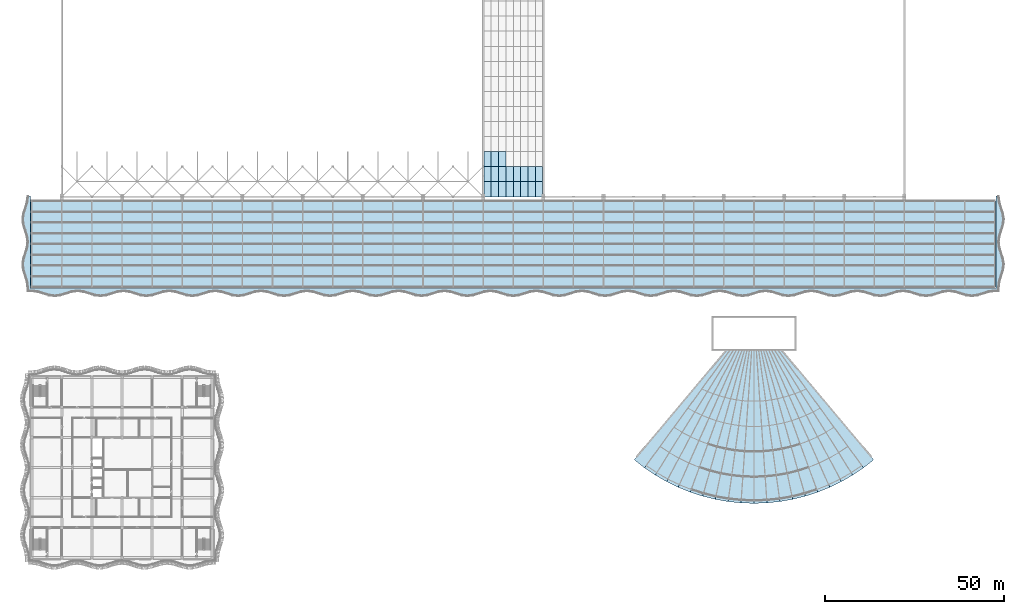
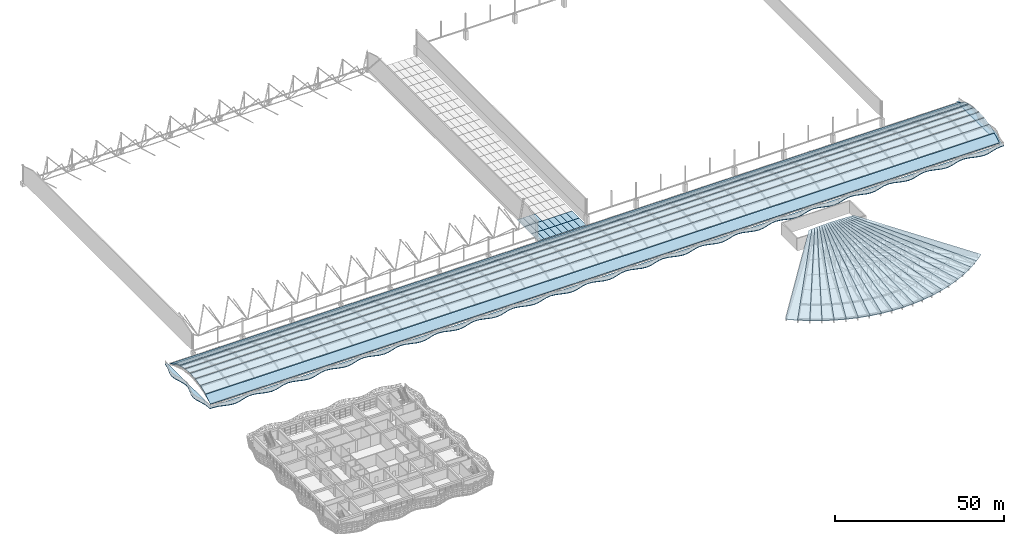
# One storey, part 100 of 163: 48 slabs.
"""IFC4 building model written with IfcOpenShell, lengths in metres."""

import ifcopenshell
import ifcopenshell.guid

model = None  # the IFC model being written
_history = None  # IfcOwnerHistory: only IFC2X3 demands one
_inside = {}  # id of a spatial element -> (the spatial element, [elements in it])
_under = {}  # id of a project, library or spatial element -> (it, [spatial elements below it])
_declared = {}  # id of a project -> (the project, [libraries it declares])
_typed = {}  # id of a type object -> (the type object, [elements of that type])
_made_of = {}  # id of a material, layer set ... -> (it, [elements and type objects made of it])


def new_model(schema):
    """Start an empty IFC model of exactly this schema.

    Asked for "IFC4X3", IfcOpenShell would pick the latest addendum, in which some entities
    have other attributes; the version numbers below select the first issue.
    IFC2X3 requires an IfcOwnerHistory on every rooted entity: one is made here for all.
    """
    global model, _history
    if schema == "IFC4X3":
        model = ifcopenshell.file(schema_version=(4, 3, 0, 0))
    else:
        model = ifcopenshell.file(schema=schema)
    _inside.clear()
    _under.clear()
    _declared.clear()
    _typed.clear()
    _made_of.clear()
    _history = None
    if model.schema == "IFC2X3":
        org = make("IfcOrganization", Name="unknown")
        user = make(
            "IfcPersonAndOrganization",
            ThePerson=make("IfcPerson", FamilyName="unknown"),
            TheOrganization=org,
        )
        app = make(
            "IfcApplication",
            ApplicationDeveloper=org,
            Version="unknown",
            ApplicationFullName="unknown",
            ApplicationIdentifier="unknown",
        )
        _history = make(
            "IfcOwnerHistory",
            OwningUser=user,
            OwningApplication=app,
            ChangeAction="ADDED",
            CreationDate=0,
        )
    return model


def make(cls, **values):
    """One entity of the class cls with the attributes given. An attribute that is None is left unset."""
    return model.create_entity(
        cls, **{name: value for name, value in values.items() if value is not None}
    )


def rooted(cls, **values):
    """An entity with a GlobalId (a new one), such as an element, a storey or a relation."""
    return make(cls, GlobalId=ifcopenshell.guid.new(), OwnerHistory=_history, **values)


def si_unit(unit_type, name, prefix=None):
    """IfcSIUnit, for example si_unit("LENGTHUNIT", "METRE", prefix="MILLI")."""
    return make("IfcSIUnit", UnitType=unit_type, Prefix=prefix, Name=name)


def assignment(units):
    """IfcUnitAssignment: the units of a project."""
    return None if units is None else make("IfcUnitAssignment", Units=units)


def point(xyz):
    """IfcCartesianPoint."""
    return None if xyz is None else make("IfcCartesianPoint", Coordinates=xyz)


def direction(xyz):
    """IfcDirection."""
    return None if xyz is None else make("IfcDirection", DirectionRatios=xyz)


def frame(location, z_axis=None, x_axis=None):
    """IfcAxis2Placement3D, a coordinate frame: its origin and axes. An axis left out is left unset."""
    return make(
        "IfcAxis2Placement3D",
        Location=point(location),
        Axis=direction(z_axis),
        RefDirection=direction(x_axis),
    )


def origin():
    """The frame at (0, 0, 0) with its axes left unset."""
    return frame((0.0, 0.0, 0.0))


def place(relative_to, where):
    """IfcLocalPlacement: puts the frame where relative to a parent placement (None: the world)."""
    return make(
        "IfcLocalPlacement", PlacementRelTo=relative_to, RelativePlacement=where
    )


def context(
    kind, dimensions, precision=None, world=None, true_north=None, identifier=None
):
    """IfcGeometricRepresentationContext, for example the 3D "Model" context."""
    return make(
        "IfcGeometricRepresentationContext",
        ContextIdentifier=identifier,
        ContextType=kind,
        CoordinateSpaceDimension=dimensions,
        Precision=precision,
        WorldCoordinateSystem=world,
        TrueNorth=true_north,
    )


def subcontext(parent, identifier, kind, view, scale=None):
    """IfcGeometricRepresentationSubContext, for example "Body" below "Model"."""
    return make(
        "IfcGeometricRepresentationSubContext",
        ContextIdentifier=identifier,
        ContextType=kind,
        ParentContext=parent,
        TargetScale=scale,
        TargetView=view,
    )


def project(units=None, contexts=None):
    """IfcProject with its units and contexts."""
    return rooted(
        "IfcProject",
        Name="project",
        RepresentationContexts=contexts,
        UnitsInContext=assignment(units),
    )


def spatial(cls, under=None, at=None, **own):
    """A site, building, storey or space (cls), placed at a placement, below another one or the project."""
    s = rooted(cls, ObjectPlacement=at, **own)
    if under is not None:
        _under.setdefault(under.id(), (under, []))[1].append(s)
    return s


def polyline(points):
    """IfcPolyline through the points."""
    return make("IfcPolyline", Points=[point(p) for p in points])


def outline(outer, holes=None, kind="AREA"):
    """IfcArbitraryClosedProfileDef: a profile drawn as a closed curve; with holes, ...WithVoids."""
    if holes is None:
        return make("IfcArbitraryClosedProfileDef", ProfileType=kind, OuterCurve=outer)
    return make(
        "IfcArbitraryProfileDefWithVoids",
        ProfileType=kind,
        OuterCurve=outer,
        InnerCurves=holes,
    )


def extrude(swept, where, along, depth):
    """IfcExtrudedAreaSolid: the profile swept, set in the frame where, extruded along a direction by depth."""
    return make(
        "IfcExtrudedAreaSolid",
        SweptArea=swept,
        Position=where,
        ExtrudedDirection=direction(along),
        Depth=depth,
    )


def shape(context_of_items, identifier, shape_type, items):
    """IfcShapeRepresentation: the items that make up one representation, for example the "Body"."""
    return make(
        "IfcShapeRepresentation",
        ContextOfItems=context_of_items,
        RepresentationIdentifier=identifier,
        RepresentationType=shape_type,
        Items=items,
    )


def material(Name=None, Category=None):
    """IfcMaterial."""
    return make("IfcMaterial", Name=Name, Category=Category)


def layer(
    of_material, thickness, ventilated=None, Name=None, Category=None, Priority=None
):
    """IfcMaterialLayer: one layer of a wall or slab, of a material (None: an air gap)."""
    return make(
        "IfcMaterialLayer",
        Material=of_material,
        LayerThickness=thickness,
        IsVentilated=ventilated,
        Name=Name,
        Category=Category,
        Priority=Priority,
    )


def layer_set(layers, Name=None):
    """IfcMaterialLayerSet."""
    return make("IfcMaterialLayerSet", MaterialLayers=layers, LayerSetName=Name)


def made_of(thing, what):
    """Note that an element or type object is made of a material, layer set ...; save() writes the relation."""
    if what is not None:
        _made_of.setdefault(what.id(), (what, []))[1].append(thing)
    return thing


def type_object(cls, material=None, **own):
    """A type object (cls), such as IfcWallType, which elements share."""
    return made_of(rooted(cls, **own), material)


def element(
    cls,
    number,
    at=None,
    inside=None,
    cuts=None,
    type_object=None,
    material=None,
    context=None,
    identifier="Body",
    shape_type=None,
    held_by="IfcProductDefinitionShape",
    body=None,
    shapes=None,
    **own,
):
    """One element of the class cls, such as IfcWall. Its Tag is "e" and its number.

    at: its placement. inside: the storey or other place that contains it. cuts: it is an
    opening in that element (IfcRelVoidsElement). A single representation is given by context,
    identifier, shape_type and body (its items); several are given by shapes. held_by: the class
    of the entity that holds the representations. save() writes the other relations.
    """
    e = rooted(cls, Tag="e%d" % number, ObjectPlacement=at, **own)
    if body is not None:
        shapes = [shape(context, identifier, shape_type, body)]
    if shapes is not None:
        e.Representation = make(held_by, Representations=shapes)
    if inside is not None:
        _inside.setdefault(inside.id(), (inside, []))[1].append(e)
    if cuts is not None:
        rooted(
            "IfcRelVoidsElement", RelatingBuildingElement=cuts, RelatedOpeningElement=e
        )
    if type_object is not None:
        _typed.setdefault(type_object.id(), (type_object, []))[1].append(e)
    return made_of(e, material)


def aggregate(whole, parts):
    """IfcRelAggregates: a whole, such as a stair, and the parts it consists of."""
    return rooted("IfcRelAggregates", RelatingObject=whole, RelatedObjects=parts)


def save(model, path):
    """Write the relations noted so far, then the file.

    IfcRelAggregates (storeys below a building ...), IfcRelContainedInSpatialStructure (elements
    in a storey), IfcRelDefinesByType, IfcRelAssociatesMaterial and IfcRelDeclares: one each for
    every whole, place, type object, material and project.
    """
    for whole, parts in _under.values():
        aggregate(whole, parts)
    for where, things in _inside.values():
        rooted(
            "IfcRelContainedInSpatialStructure",
            RelatedElements=things,
            RelatingStructure=where,
        )
    for kind, things in _typed.values():
        rooted("IfcRelDefinesByType", RelatedObjects=things, RelatingType=kind)
    for what, things in _made_of.values():
        rooted("IfcRelAssociatesMaterial", RelatedObjects=things, RelatingMaterial=what)
    for by, libraries in _declared.values():
        rooted("IfcRelDeclares", RelatingContext=by, RelatedDefinitions=libraries)
    model.write(path)


model = new_model("IFC4")

# Units and contexts
model_context = context("Model", 3, precision=1e-05, world=origin(), true_north=direction((0.0, 1.0)))
body_context = subcontext(model_context, "Body", "Model", "MODEL_VIEW")
ifc_project = project(units=[si_unit("LENGTHUNIT", "METRE"), si_unit("AREAUNIT", "SQUARE_METRE"), si_unit("VOLUMEUNIT", "CUBIC_METRE"), si_unit("PLANEANGLEUNIT", "RADIAN"), si_unit("MASSUNIT", "GRAM", prefix="KILO")], contexts=[model_context])

# Site, building, storey
site_placement = place(None, origin())
site = spatial("IfcSite", under=ifc_project, at=site_placement, CompositionType="ELEMENT")
building_placement = place(site_placement, origin())
building = spatial("IfcBuilding", under=site, at=building_placement, Name="Rain Tree Exposition and Congress Centre", CompositionType="ELEMENT")
storey_placement = place(building_placement, frame((0.0, 0.0, 10.5)))
storey = spatial("IfcBuildingStorey", under=building, at=storey_placement, Name="L02", CompositionType="ELEMENT", Elevation=10.5)

# Slabs
ifc_material_1 = material(Name="Planted roof build-up")
ifc_layer_1 = layer(ifc_material_1, 0.39990234375)
ifc_layer_set_1 = layer_set([ifc_layer_1], Name="Planted roof build-up")
slab_type_1 = type_object("IfcSlabType", Name="Concourse planted roof strip 400", PredefinedType="ROOF", material=ifc_layer_set_1)
for number, where, z_axis, x_axis, name in (
    (1, (-0.300048828125, 78.449462890625, 2.50244140625), (0.0, -0.376377046956, 0.926466577122), (1.0, 0.0, 0.0), "Concourse planted roof strip 1"),
    (2, (-0.300048828125, 93.75048828125, 3.72119140625), (0.0, 0.376377046956, 0.926466577122), (1.0, 0.0, 0.0), "Concourse planted roof strip 2"),
):
    element("IfcSlab", number, at=place(storey_placement, frame(where, z_axis=z_axis, x_axis=x_axis)), inside=storey, type_object=slab_type_1, Name=name, PredefinedType="ROOF", context=body_context, shape_type="SweptSolid", body=[
        extrude(outline(polyline([(0.0, 0.0), (269.400146484375, 0.0), (269.400146484375, 3.238109257344477), (0.0, 3.238109257344477), (0.0, 0.0)])), origin(), (0.0, 0.0, -1.0), 0.39990234375),
    ])
ifc_material_2 = material(Name="Glazing in S355J2 steel frame", Category="steel")
ifc_layer_2 = layer(ifc_material_2, 0.06005859375)
ifc_layer_set_2 = layer_set([ifc_layer_2], Name="Glazing in S355J2 steel frame")
slab_type_2 = type_object("IfcSlabType", Name="Concourse ridge lantern glazing 60", PredefinedType="ROOF", material=ifc_layer_set_2)
for number, where, z_axis, x_axis, name in (
    (3, (-0.300048828125, 84.59521484375, 4.13623046875), (0.0, -0.081031480393, 0.996711542617), (1.0, 0.0, 0.0), "Concourse ridge lantern glazing 1"),
    (4, (-0.300048828125, 87.604736328125, 4.380126953125), (0.0, 0.081031480393, 0.996711542617), (1.0, 0.0, 0.0), "Concourse ridge lantern glazing 2"),
):
    element("IfcSlab", number, at=place(storey_placement, frame(where, z_axis=z_axis, x_axis=x_axis)), inside=storey, type_object=slab_type_2, Name=name, PredefinedType="ROOF", context=body_context, shape_type="SweptSolid", body=[
        extrude(outline(polyline([(0.0, 0.0), (269.400146484375, 0.0), (269.400146484375, 3.00989792104159), (0.0, 3.00989792104159), (0.0, 0.0)])), origin(), (0.0, 0.0, -1.0), 0.06005859375),
    ])
ifc_material_3 = material(Name="Aluminium standing-seam roof build-up", Category="aluminium")
ifc_layer_3 = layer(ifc_material_3, 0.1201171875)
ifc_layer_set_3 = layer_set([ifc_layer_3], Name="Aluminium standing-seam roof build-up")
slab_type_3 = type_object("IfcSlabType", Name="Concourse standing-seam roof sheet 120", PredefinedType="ROOF", material=ifc_layer_set_3)
slab_1_placement = place(storey_placement, frame((-0.300048828125, 75.540771484375, 0.534912109375), z_axis=(0.0, -0.494393409455, 0.869238262324), x_axis=(1.0, 0.0, 0.0)))
element("IfcSlab", 5, at=slab_1_placement, inside=storey, type_object=slab_type_3, Name="Concourse roof sheet strip 1", PredefinedType="ROOF", context=body_context, shape_type="SweptSolid", body=[
    extrude(outline(polyline([(0.0, 0.0), (269.400146484375, 0.0), (269.400146484375, 3.451297682156778), (0.0, 3.451297682156778), (0.0, 0.0)])), origin(), (0.0, 0.0, -1.0), 0.1201171875),
])
for number, where, z_axis, x_axis, name in (
    (6, (-0.300048828125, 81.571533203125, 3.463623046875), (0.0, -0.236801464324, 0.971558061309), (1.0, 0.0, 0.0), "Concourse roof sheet strip 3"),
    (7, (-0.300048828125, 90.62841796875, 4.19482421875), (0.0, 0.236801464324, 0.971558061309), (1.0, 0.0, 0.0), "Concourse roof sheet strip 6"),
):
    element("IfcSlab", number, at=place(storey_placement, frame(where, z_axis=z_axis, x_axis=x_axis)), inside=storey, type_object=slab_type_3, Name=name, PredefinedType="ROOF", context=body_context, shape_type="SweptSolid", body=[
        extrude(outline(polyline([(0.0, 0.0), (269.400146484375, 0.0), (269.400146484375, 3.0878236921416633), (0.0, 3.0878236921416633), (0.0, 0.0)])), origin(), (0.0, 0.0, -1.0), 0.1201171875),
    ])
slab_2_placement = place(storey_placement, frame((-0.300048828125, 96.659423828125, 2.2412109375), z_axis=(0.0, 0.494393409455, 0.869238262324), x_axis=(1.0, 0.0, 0.0)))
element("IfcSlab", 8, at=slab_2_placement, inside=storey, type_object=slab_type_3, Name="Concourse roof sheet strip 8", PredefinedType="ROOF", context=body_context, shape_type="SweptSolid", body=[
    extrude(outline(polyline([(0.0, 0.0), (269.400146484375, 0.0), (269.400146484375, 3.451297682156778), (0.0, 3.451297682156778), (0.0, 0.0)])), origin(), (0.0, 0.0, -1.0), 0.1201171875),
])
ifc_material_4 = material(Name="Insulated roof deck, S350GD+Z steel sheet", Category="steel")
ifc_layer_4 = layer(ifc_material_4, 0.199951171875)
ifc_layer_set_4 = layer_set([ifc_layer_4], Name="Insulated roof deck, S350GD+Z steel sheet")
slab_type_4 = type_object("IfcSlabType", Name="Hall roof deck 200", PredefinedType="ROOF", material=ifc_layer_set_4)
slab_3_placement = place(storey_placement, frame((168.175048828125, 27.36572265625, 1.5), z_axis=(-0.068842936099, -0.08817016171, 0.993723640019), x_axis=(0.788005396465, -0.615668331087, -3.5192035e-05)))
element("IfcSlab", 9, at=slab_3_placement, inside=storey, type_object=slab_type_4, Name="Hall roof facet 1", PredefinedType="ROOF", context=body_context, shape_type="SweptSolid", body=[
    extrude(outline(polyline([(0.0, 0.0), (3.629564319830952, 2.220446049250313e-16), (2.2107272816711765, 40.87231837574992), (1.3955982402757583, 40.231448432084484), (0.0, 0.0)])), origin(), (0.0, 0.0, -1.0), 0.199951171875),
])
slab_4_placement = place(storey_placement, frame((171.03515625, 25.131103515625, 1.5), z_axis=(-0.06255537612, -0.09273511311, 0.993723816619), x_axis=(0.829047101994, -0.559178775205, 5.883243e-06)))
element("IfcSlab", 10, at=slab_4_placement, inside=storey, type_object=slab_type_4, Name="Hall roof facet 2", PredefinedType="ROOF", context=body_context, shape_type="SweptSolid", body=[
    extrude(outline(polyline([(0.0, 0.0), (3.629506516201771, 0.0), (2.1936680988470085, 41.398067899087664), (1.4190673475789284, 40.87231038036161), (0.0, 0.0)])), origin(), (0.0, 0.0, -1.0), 0.199951171875),
])
slab_5_placement = place(storey_placement, frame((174.044189453125, 23.1015625, 1.5), z_axis=(-0.055963837934, -0.09685799324, 0.993723592348), x_axis=(0.866005630804, -0.500034245161, 3.2891676e-05)))
element("IfcSlab", 11, at=slab_5_placement, inside=storey, type_object=slab_type_4, Name="Hall roof facet 3", PredefinedType="ROOF", context=body_context, shape_type="SweptSolid", body=[
    extrude(outline(polyline([(0.0, 0.0), (3.629657489045327, 0.0), (2.176591967832575, 41.82894049211241), (1.4351153419091707, 41.398092971532755), (0.0, 0.0)])), origin(), (0.0, 0.0, -1.0), 0.199951171875),
])
slab_6_placement = place(storey_placement, frame((177.1875, 21.28662109375, 1.5), z_axis=(-0.049005771451, -0.10055748435, 0.99372361686), x_axis=(0.898797950098, -0.438363141358, -3.4625124e-05)))
element("IfcSlab", 12, at=slab_6_placement, inside=storey, type_object=slab_type_4, Name="Hall roof facet 4", PredefinedType="ROOF", context=body_context, shape_type="SweptSolid", body=[
    extrude(outline(polyline([(0.0, 0.0), (3.629529004256762, -2.220446049250313e-16), (2.165950696602972, 42.1795314241796), (1.451697330502481, 41.82898799828497), (0.0, 0.0)])), origin(), (0.0, 0.0, -1.0), 0.199951171875),
])
slab_7_placement = place(storey_placement, frame((180.44970703125, 19.695556640625, 1.5), z_axis=(-0.041903819012, -0.103716224071, 0.993723812141), x_axis=(0.927186113819, -0.374601001521, 4.40457e-07)))
element("IfcSlab", 13, at=slab_7_placement, inside=storey, type_object=slab_type_4, Name="Hall roof facet 5", PredefinedType="ROOF", context=body_context, shape_type="SweptSolid", body=[
    extrude(outline(polyline([(0.0, 0.0), (3.6295132740124973, 0.0), (2.1563076810081605, 42.4610505613158), (1.463860811136939, 42.17952162089558), (0.0, 0.0)])), origin(), (0.0, 0.0, -1.0), 0.199951171875),
])
slab_8_placement = place(storey_placement, frame((183.81494140625, 18.3359375, 1.5), z_axis=(-0.034560293342, -0.106388474539, 0.993723844239), x_axis=(0.95105753287, -0.309013865589, -6.728681e-06)))
element("IfcSlab", 14, at=slab_8_placement, inside=storey, type_object=slab_type_4, Name="Hall roof facet 6", PredefinedType="ROOF", context=body_context, shape_type="SweptSolid", body=[
    extrude(outline(polyline([(0.0, 0.0), (3.629543983340465, -2.220446049250313e-16), (2.1485581863127345, 42.68173237490981), (1.4735768463576215, 42.46103767887868), (0.0, 0.0)])), origin(), (0.0, 0.0, -1.0), 0.199951171875),
])
slab_9_placement = place(storey_placement, frame((187.266845703125, 17.21435546875, 1.5), z_axis=(-0.027062380486, -0.108537666927, 0.993723906536), x_axis=(0.970288786344, -0.241949728433, -2.349466e-06)))
element("IfcSlab", 15, at=slab_9_placement, inside=storey, type_object=slab_type_4, Name="Hall roof facet 7", PredefinedType="ROOF", context=body_context, shape_type="SweptSolid", body=[
    extrude(outline(polyline([(0.0, 0.0), (3.6295676064920377, -1.1102230246251565e-16), (2.1413158430287567, 42.847732484405626), (1.4799276318680585, 42.68176907837096), (0.0, 0.0)])), origin(), (0.0, 0.0, -1.0), 0.199951171875),
])
slab_10_placement = place(storey_placement, frame((190.78857421875, 16.336181640625, 1.5), z_axis=(-0.019421093819, -0.110161740661, 0.99372391136), x_axis=(0.984814670255, -0.173608943458, 1.12174e-06)))
element("IfcSlab", 16, at=slab_10_placement, inside=storey, type_object=slab_type_4, Name="Hall roof facet 8", PredefinedType="ROOF", context=body_context, shape_type="SweptSolid", body=[
    extrude(outline(polyline([(0.0, 0.0), (3.629579167547257, 1.1102230246251565e-16), (2.1402705825707415, 42.96335728932547), (1.4884559755115492, 42.847725390919656), (0.0, 0.0)])), origin(), (0.0, 0.0, -1.0), 0.199951171875),
])
slab_11_placement = place(storey_placement, frame((194.363037109375, 15.7060546875, 1.5), z_axis=(-0.011733259944, -0.111245707317, 0.993723665419), x_axis=(0.994521185377, -0.104535210457, 4.0134056e-05)))
element("IfcSlab", 17, at=slab_11_placement, inside=storey, type_object=slab_type_4, Name="Hall roof facet 9", PredefinedType="ROOF", context=body_context, shape_type="SweptSolid", body=[
    extrude(outline(polyline([(0.0, 0.0), (3.6295027936648725, 0.0), (2.13629282202579, 43.031615977681945), (1.4906792682641727, 42.963309752965), (0.0, 0.0)])), origin(), (0.0, 0.0, -1.0), 0.199951171875),
])
slab_12_placement = place(storey_placement, frame((197.97265625, 15.32666015625, 1.5), z_axis=(-0.003885620044, -0.111796260224, 0.99372355218), x_axis=(0.999390557531, -0.034907207605, -1.9364825e-05)))
element("IfcSlab", 18, at=slab_12_placement, inside=storey, type_object=slab_type_4, Name="Hall roof facet 10", PredefinedType="ROOF", context=body_context, shape_type="SweptSolid", body=[
    extrude(outline(polyline([(0.0, 0.0), (3.629653746226404, 0.0), (2.135180879197452, 43.05418777667045), (1.492994415873838, 43.031623457182604), (0.0, 0.0)])), origin(), (0.0, 0.0, -1.0), 0.199951171875),
])
slab_13_placement = place(storey_placement, frame((201.60009765625, 15.199951171875, 1.5), z_axis=(0.003885842314, -0.111796263422, 0.993723550951), x_axis=(0.999390475715, 0.034909549888, 1.9405233e-05)))
element("IfcSlab", 19, at=slab_13_placement, inside=storey, type_object=slab_type_4, Name="Hall roof facet 11", PredefinedType="ROOF", context=body_context, shape_type="SweptSolid", body=[
    extrude(outline(polyline([(0.0, 0.0), (3.6294097544167765, 0.0), (2.1367597455650063, 43.031618471124965), (1.494573334913185, 43.054184289167885), (0.0, 0.0)])), origin(), (0.0, 0.0, -1.0), 0.199951171875),
])
slab_14_placement = place(storey_placement, frame((205.227294921875, 15.32666015625, 1.5), z_axis=(0.011733929299, -0.111245670266, 0.993723661664), x_axis=(0.994521177521, 0.104535284944, -4.0799414e-05)))
element("IfcSlab", 20, at=slab_14_placement, inside=storey, type_object=slab_type_4, Name="Hall roof facet 12", PredefinedType="ROOF", context=body_context, shape_type="SweptSolid", body=[
    extrude(outline(polyline([(0.0, 0.0), (3.6295027935659103, 5.551115123125783e-17), (2.1388235254590175, 42.96330975296211), (1.493452774621345, 43.03159061766347), (0.0, 0.0)])), origin(), (0.0, 0.0, -1.0), 0.199951171875),
])
slab_15_placement = place(storey_placement, frame((208.8369140625, 15.7060546875, 1.5), z_axis=(0.019421093819, -0.110161740661, 0.99372391136), x_axis=(0.984814670255, 0.173608943458, -1.12174e-06)))
element("IfcSlab", 21, at=slab_15_placement, inside=storey, type_object=slab_type_4, Name="Hall roof facet 13", PredefinedType="ROOF", context=body_context, shape_type="SweptSolid", body=[
    extrude(outline(polyline([(0.0, 0.0), (3.629579167547257, -1.1102230246251565e-16), (2.1411231920357063, 42.847725390919656), (1.4893085849765157, 42.96335728932547), (0.0, 0.0)])), origin(), (0.0, 0.0, -1.0), 0.199951171875),
])
slab_16_placement = place(storey_placement, frame((212.411376953125, 16.336181640625, 1.5), z_axis=(0.027062380486, -0.108537666927, 0.993723906536), x_axis=(0.970288786344, 0.241949728433, 2.349466e-06)))
element("IfcSlab", 22, at=slab_16_placement, inside=storey, type_object=slab_type_4, Name="Hall roof facet 14", PredefinedType="ROOF", context=body_context, shape_type="SweptSolid", body=[
    extrude(outline(polyline([(0.0, 0.0), (3.6295676064920377, 1.1102230246251565e-16), (2.1496399746239803, 42.68176907837097), (1.4882517634632821, 42.847732484405626), (0.0, 0.0)])), origin(), (0.0, 0.0, -1.0), 0.199951171875),
])
slab_17_placement = place(storey_placement, frame((215.93310546875, 17.21435546875, 1.5), z_axis=(0.034560293342, -0.106388474539, 0.993723844239), x_axis=(0.95105753287, 0.309013865589, 6.728681e-06)))
element("IfcSlab", 23, at=slab_17_placement, inside=storey, type_object=slab_type_4, Name="Hall roof facet 15", PredefinedType="ROOF", context=body_context, shape_type="SweptSolid", body=[
    extrude(outline(polyline([(0.0, 0.0), (3.629543983340465, 2.220446049250313e-16), (2.1559671369828455, 42.461037678878675), (1.4809857970277305, 42.6817323749098), (0.0, 0.0)])), origin(), (0.0, 0.0, -1.0), 0.199951171875),
])
slab_18_placement = place(storey_placement, frame((219.385009765625, 18.3359375, 1.5), z_axis=(0.041903819012, -0.103716224071, 0.993723812141), x_axis=(0.927186113819, 0.374601001521, -4.40457e-07)))
element("IfcSlab", 24, at=slab_18_placement, inside=storey, type_object=slab_type_4, Name="Hall roof facet 16", PredefinedType="ROOF", context=body_context, shape_type="SweptSolid", body=[
    extrude(outline(polyline([(0.0, 0.0), (3.6295132740124973, 0.0), (2.165652462875558, 42.17952162089558), (1.4732055930043384, 42.4610505613158), (0.0, 0.0)])), origin(), (0.0, 0.0, -1.0), 0.199951171875),
])
slab_19_placement = place(storey_placement, frame((222.750244140625, 19.695556640625, 1.5), z_axis=(0.049005771451, -0.10055748435, 0.99372361686), x_axis=(0.898797950098, 0.438363141358, 3.4625124e-05)))
element("IfcSlab", 25, at=slab_19_placement, inside=storey, type_object=slab_type_4, Name="Hall roof facet 17", PredefinedType="ROOF", context=body_context, shape_type="SweptSolid", body=[
    extrude(outline(polyline([(0.0, 0.0), (3.629529004256762, 2.220446049250313e-16), (2.177831673754281, 41.82898799828497), (1.4635783076537883, 42.179531424179594), (0.0, 0.0)])), origin(), (0.0, 0.0, -1.0), 0.199951171875),
])
slab_20_placement = place(storey_placement, frame((226.012451171875, 21.28662109375, 1.5), z_axis=(0.055963837934, -0.09685799324, 0.993723592348), x_axis=(0.866005630804, 0.500034245161, -3.2891676e-05)))
element("IfcSlab", 26, at=slab_20_placement, inside=storey, type_object=slab_type_4, Name="Hall roof facet 18", PredefinedType="ROOF", context=body_context, shape_type="SweptSolid", body=[
    extrude(outline(polyline([(0.0, 0.0), (3.629657489045327, 0.0), (2.1945421471361546, 41.39809297153275), (1.4530655212127535, 41.8289404921124), (0.0, 0.0)])), origin(), (0.0, 0.0, -1.0), 0.199951171875),
])
slab_21_placement = place(storey_placement, frame((229.15576171875, 23.1015625, 1.5), z_axis=(0.06255537612, -0.09273511311, 0.993723816619), x_axis=(0.829047101994, 0.559178775205, -5.883243e-06)))
element("IfcSlab", 27, at=slab_21_placement, inside=storey, type_object=slab_type_4, Name="Hall roof facet 19", PredefinedType="ROOF", context=body_context, shape_type="SweptSolid", body=[
    extrude(outline(polyline([(0.0, 0.0), (3.629506516201771, 0.0), (2.2104391686228437, 40.87231038036161), (1.4358384173547598, 41.398067899087664), (0.0, 0.0)])), origin(), (0.0, 0.0, -1.0), 0.199951171875),
])
slab_22_placement = place(storey_placement, frame((232.164794921875, 25.131103515625, 1.5), z_axis=(0.068842936099, -0.08817016171, 0.993723640019), x_axis=(0.788005396465, 0.615668331087, 3.5192035e-05)))
element("IfcSlab", 28, at=slab_22_placement, inside=storey, type_object=slab_type_4, Name="Hall roof facet 20", PredefinedType="ROOF", context=body_context, shape_type="SweptSolid", body=[
    extrude(outline(polyline([(0.0, 0.0), (3.629564319830952, -2.220446049250313e-16), (2.2339660795551968, 40.231448432084484), (1.4188370381597786, 40.87231837574992), (0.0, 0.0)])), origin(), (0.0, 0.0, -1.0), 0.199951171875),
])
ifc_material_5 = material(Name="Glazing in S355 steel frame, S355J2H tubes", Category="steel")
ifc_layer_5 = layer(ifc_material_5, 0.0400390625)
ifc_layer_set_5 = layer_set([ifc_layer_5], Name="Glazing in S355 steel frame, S355J2H tubes")
slab_type_5 = type_object("IfcSlabType", Name="Link roof glass panel 40", PredefinedType="ROOF", material=ifc_layer_set_5)
slab_23_placement = place(storey_placement, frame((0.0, 0.0, -0.185791015625)))
element("IfcSlab", 29, at=slab_23_placement, inside=storey, type_object=slab_type_5, Name="Link roof glass panel 1", PredefinedType="ROOF", context=body_context, shape_type="SweptSolid", body=[
    extrude(outline(polyline([(126.199951171875, 100.800048828125), (128.25, 100.800048828125), (128.25, 105.0), (126.199951171875, 105.0), (126.199951171875, 100.800048828125)])), origin(), (0.0, 0.0, 1.0), 0.0400390625),
])
slab_24_placement = place(storey_placement, frame((0.0, 0.0, -0.185791015625)))
element("IfcSlab", 30, at=slab_24_placement, inside=storey, type_object=slab_type_5, Name="Link roof glass panel 2", PredefinedType="ROOF", context=body_context, shape_type="SweptSolid", body=[
    extrude(outline(polyline([(128.25, 100.800048828125), (130.300048828125, 100.800048828125), (130.300048828125, 105.0), (128.25, 105.0), (128.25, 100.800048828125)])), origin(), (0.0, 0.0, 1.0), 0.0400390625),
])
slab_25_placement = place(storey_placement, frame((0.0, 0.0, -0.185791015625)))
element("IfcSlab", 31, at=slab_25_placement, inside=storey, type_object=slab_type_5, Name="Link roof glass panel 3", PredefinedType="ROOF", context=body_context, shape_type="SweptSolid", body=[
    extrude(outline(polyline([(130.300048828125, 100.800048828125), (132.35009765625, 100.800048828125), (132.35009765625, 105.0), (130.300048828125, 105.0), (130.300048828125, 100.800048828125)])), origin(), (0.0, 0.0, 1.0), 0.0400390625),
])
slab_26_placement = place(storey_placement, frame((0.0, 0.0, -0.185791015625)))
element("IfcSlab", 32, at=slab_26_placement, inside=storey, type_object=slab_type_5, Name="Link roof glass panel 4", PredefinedType="ROOF", context=body_context, shape_type="SweptSolid", body=[
    extrude(outline(polyline([(132.35009765625, 100.800048828125), (134.39990234375, 100.800048828125), (134.39990234375, 105.0), (132.35009765625, 105.0), (132.35009765625, 100.800048828125)])), origin(), (0.0, 0.0, 1.0), 0.0400390625),
])
slab_27_placement = place(storey_placement, frame((0.0, 0.0, -0.185791015625)))
element("IfcSlab", 33, at=slab_27_placement, inside=storey, type_object=slab_type_5, Name="Link roof glass panel 5", PredefinedType="ROOF", context=body_context, shape_type="SweptSolid", body=[
    extrude(outline(polyline([(134.39990234375, 100.800048828125), (136.449951171875, 100.800048828125), (136.449951171875, 105.0), (134.39990234375, 105.0), (134.39990234375, 100.800048828125)])), origin(), (0.0, 0.0, 1.0), 0.0400390625),
])
slab_28_placement = place(storey_placement, frame((0.0, 0.0, -0.185791015625)))
element("IfcSlab", 34, at=slab_28_placement, inside=storey, type_object=slab_type_5, Name="Link roof glass panel 6", PredefinedType="ROOF", context=body_context, shape_type="SweptSolid", body=[
    extrude(outline(polyline([(136.449951171875, 100.800048828125), (138.5, 100.800048828125), (138.5, 105.0), (136.449951171875, 105.0), (136.449951171875, 100.800048828125)])), origin(), (0.0, 0.0, 1.0), 0.0400390625),
])
slab_29_placement = place(storey_placement, frame((0.0, 0.0, -0.185791015625)))
element("IfcSlab", 35, at=slab_29_placement, inside=storey, type_object=slab_type_5, Name="Link roof glass panel 7", PredefinedType="ROOF", context=body_context, shape_type="SweptSolid", body=[
    extrude(outline(polyline([(138.5, 100.800048828125), (140.550048828125, 100.800048828125), (140.550048828125, 105.0), (138.5, 105.0), (138.5, 100.800048828125)])), origin(), (0.0, 0.0, 1.0), 0.0400390625),
])
slab_30_placement = place(storey_placement, frame((0.0, 0.0, -0.185791015625)))
element("IfcSlab", 36, at=slab_30_placement, inside=storey, type_object=slab_type_5, Name="Link roof glass panel 8", PredefinedType="ROOF", context=body_context, shape_type="SweptSolid", body=[
    extrude(outline(polyline([(140.550048828125, 100.800048828125), (142.60009765625, 100.800048828125), (142.60009765625, 105.0), (140.550048828125, 105.0), (140.550048828125, 100.800048828125)])), origin(), (0.0, 0.0, 1.0), 0.0400390625),
])
slab_31_placement = place(storey_placement, frame((0.0, 0.0, -0.185791015625)))
element("IfcSlab", 37, at=slab_31_placement, inside=storey, type_object=slab_type_5, Name="Link roof glass panel 9", PredefinedType="ROOF", context=body_context, shape_type="SweptSolid", body=[
    extrude(outline(polyline([(126.199951171875, 105.0), (128.25, 105.0), (128.25, 109.199951171875), (126.199951171875, 109.199951171875), (126.199951171875, 105.0)])), origin(), (0.0, 0.0, 1.0), 0.0400390625),
])
slab_32_placement = place(storey_placement, frame((0.0, 0.0, -0.185791015625)))
element("IfcSlab", 38, at=slab_32_placement, inside=storey, type_object=slab_type_5, Name="Link roof glass panel 10", PredefinedType="ROOF", context=body_context, shape_type="SweptSolid", body=[
    extrude(outline(polyline([(128.25, 105.0), (130.300048828125, 105.0), (130.300048828125, 109.199951171875), (128.25, 109.199951171875), (128.25, 105.0)])), origin(), (0.0, 0.0, 1.0), 0.0400390625),
])
slab_33_placement = place(storey_placement, frame((0.0, 0.0, -0.185791015625)))
element("IfcSlab", 39, at=slab_33_placement, inside=storey, type_object=slab_type_5, Name="Link roof glass panel 11", PredefinedType="ROOF", context=body_context, shape_type="SweptSolid", body=[
    extrude(outline(polyline([(130.300048828125, 105.0), (132.35009765625, 105.0), (132.35009765625, 109.199951171875), (130.300048828125, 109.199951171875), (130.300048828125, 105.0)])), origin(), (0.0, 0.0, 1.0), 0.0400390625),
])
slab_34_placement = place(storey_placement, frame((0.0, 0.0, -0.185791015625)))
element("IfcSlab", 40, at=slab_34_placement, inside=storey, type_object=slab_type_5, Name="Link roof glass panel 12", PredefinedType="ROOF", context=body_context, shape_type="SweptSolid", body=[
    extrude(outline(polyline([(132.35009765625, 105.0), (134.39990234375, 105.0), (134.39990234375, 109.199951171875), (132.35009765625, 109.199951171875), (132.35009765625, 105.0)])), origin(), (0.0, 0.0, 1.0), 0.0400390625),
])
slab_35_placement = place(storey_placement, frame((0.0, 0.0, -0.185791015625)))
element("IfcSlab", 41, at=slab_35_placement, inside=storey, type_object=slab_type_5, Name="Link roof glass panel 13", PredefinedType="ROOF", context=body_context, shape_type="SweptSolid", body=[
    extrude(outline(polyline([(134.39990234375, 105.0), (136.449951171875, 105.0), (136.449951171875, 109.199951171875), (134.39990234375, 109.199951171875), (134.39990234375, 105.0)])), origin(), (0.0, 0.0, 1.0), 0.0400390625),
])
slab_36_placement = place(storey_placement, frame((0.0, 0.0, -0.185791015625)))
element("IfcSlab", 42, at=slab_36_placement, inside=storey, type_object=slab_type_5, Name="Link roof glass panel 14", PredefinedType="ROOF", context=body_context, shape_type="SweptSolid", body=[
    extrude(outline(polyline([(136.449951171875, 105.0), (138.5, 105.0), (138.5, 109.199951171875), (136.449951171875, 109.199951171875), (136.449951171875, 105.0)])), origin(), (0.0, 0.0, 1.0), 0.0400390625),
])
slab_37_placement = place(storey_placement, frame((0.0, 0.0, -0.185791015625)))
element("IfcSlab", 43, at=slab_37_placement, inside=storey, type_object=slab_type_5, Name="Link roof glass panel 15", PredefinedType="ROOF", context=body_context, shape_type="SweptSolid", body=[
    extrude(outline(polyline([(138.5, 105.0), (140.550048828125, 105.0), (140.550048828125, 109.199951171875), (138.5, 109.199951171875), (138.5, 105.0)])), origin(), (0.0, 0.0, 1.0), 0.0400390625),
])
slab_38_placement = place(storey_placement, frame((0.0, 0.0, -0.185791015625)))
element("IfcSlab", 44, at=slab_38_placement, inside=storey, type_object=slab_type_5, Name="Link roof glass panel 16", PredefinedType="ROOF", context=body_context, shape_type="SweptSolid", body=[
    extrude(outline(polyline([(140.550048828125, 105.0), (142.60009765625, 105.0), (142.60009765625, 109.199951171875), (140.550048828125, 109.199951171875), (140.550048828125, 105.0)])), origin(), (0.0, 0.0, 1.0), 0.0400390625),
])
slab_39_placement = place(storey_placement, frame((0.0, 0.0, -0.185791015625)))
element("IfcSlab", 45, at=slab_39_placement, inside=storey, type_object=slab_type_5, Name="Link roof glass panel 17", PredefinedType="ROOF", context=body_context, shape_type="SweptSolid", body=[
    extrude(outline(polyline([(126.199951171875, 109.199951171875), (128.25, 109.199951171875), (128.25, 113.39990234375), (126.199951171875, 113.39990234375), (126.199951171875, 109.199951171875)])), origin(), (0.0, 0.0, 1.0), 0.0400390625),
])
slab_40_placement = place(storey_placement, frame((0.0, 0.0, -0.185791015625)))
element("IfcSlab", 46, at=slab_40_placement, inside=storey, type_object=slab_type_5, Name="Link roof glass panel 18", PredefinedType="ROOF", context=body_context, shape_type="SweptSolid", body=[
    extrude(outline(polyline([(128.25, 109.199951171875), (130.300048828125, 109.199951171875), (130.300048828125, 113.39990234375), (128.25, 113.39990234375), (128.25, 109.199951171875)])), origin(), (0.0, 0.0, 1.0), 0.0400390625),
])
slab_41_placement = place(storey_placement, frame((0.0, 0.0, -0.185791015625)))
element("IfcSlab", 47, at=slab_41_placement, inside=storey, type_object=slab_type_5, Name="Link roof glass panel 19", PredefinedType="ROOF", context=body_context, shape_type="SweptSolid", body=[
    extrude(outline(polyline([(130.300048828125, 109.199951171875), (132.35009765625, 109.199951171875), (132.35009765625, 113.39990234375), (130.300048828125, 113.39990234375), (130.300048828125, 109.199951171875)])), origin(), (0.0, 0.0, 1.0), 0.0400390625),
])
ifc_material_6 = material(Name="Concrete C40/50", Category="concrete")
ifc_layer_6 = layer(ifc_material_6, 0.25)
ifc_layer_set_6 = layer_set([ifc_layer_6], Name="Concrete C40/50")
slab_type_6 = type_object("IfcSlabType", Name="Wave ledge slab 250", PredefinedType="FLOOR", material=ifc_layer_set_6)
slab_42_placement = place(storey_placement, frame((0.0, 0.0, -0.25)))
element("IfcSlab", 48, at=slab_42_placement, inside=storey, type_object=slab_type_6, Name="concourse/ledge/L02/01", PredefinedType="FLOOR", context=body_context, shape_type="SweptSolid", body=[
    extrude(outline(polyline([(-1.1875, 75.60009765625), (-1.1875, 74.412353515625), (0.0, 74.412353515625), (1.60009765625, 74.20751953125), (3.199951171875, 73.71240234375), (4.800048828125, 73.21728515625), (6.39990234375, 73.012451171875), (8.0, 73.21728515625), (9.60009765625, 73.71240234375), (11.199951171875, 74.20751953125), (12.800048828125, 74.412353515625), (14.39990234375, 74.20751953125), (16.0, 73.71240234375), (17.60009765625, 73.21728515625), (19.199951171875, 73.012451171875), (20.800048828125, 73.21728515625), (22.39990234375, 73.71240234375), (24.0, 74.20751953125), (25.60009765625, 74.412353515625), (27.199951171875, 74.20751953125), (28.800048828125, 73.71240234375), (30.39990234375, 73.21728515625), (32.0, 73.012451171875), (33.60009765625, 73.21728515625), (35.199951171875, 73.71240234375), (36.800048828125, 74.20751953125), (38.39990234375, 74.412353515625), (40.0, 74.20751953125), (41.60009765625, 73.71240234375), (43.199951171875, 73.21728515625), (44.800048828125, 73.012451171875), (46.39990234375, 73.21728515625), (48.0, 73.71240234375), (49.60009765625, 74.20751953125), (51.199951171875, 74.412353515625), (52.800048828125, 74.20751953125), (54.39990234375, 73.71240234375), (56.0, 73.21728515625), (57.60009765625, 73.012451171875), (59.199951171875, 73.21728515625), (60.800048828125, 73.71240234375), (62.39990234375, 74.20751953125), (64.0, 74.412353515625), (65.60009765625, 74.20751953125), (67.199951171875, 73.71240234375), (68.800048828125, 73.21728515625), (70.39990234375, 73.012451171875), (72.0, 73.21728515625), (73.60009765625, 73.71240234375), (75.199951171875, 74.20751953125), (76.800048828125, 74.412353515625), (78.39990234375, 74.20751953125), (80.0, 73.71240234375), (81.60009765625, 73.21728515625), (83.199951171875, 73.012451171875), (84.800048828125, 73.21728515625), (86.39990234375, 73.71240234375), (88.0, 74.20751953125), (89.60009765625, 74.412353515625), (91.199951171875, 74.20751953125), (92.800048828125, 73.71240234375), (94.39990234375, 73.21728515625), (96.0, 73.012451171875), (97.60009765625, 73.21728515625), (99.199951171875, 73.71240234375), (100.800048828125, 74.20751953125), (102.39990234375, 74.412353515625), (104.0, 74.20751953125), (105.60009765625, 73.71240234375), (107.199951171875, 73.21728515625), (108.800048828125, 73.012451171875), (110.39990234375, 73.21728515625), (112.0, 73.71240234375), (113.60009765625, 74.20751953125), (115.199951171875, 74.412353515625), (116.800048828125, 74.20751953125), (118.39990234375, 73.71240234375), (120.0, 73.21728515625), (121.60009765625, 73.012451171875), (123.199951171875, 73.21728515625), (124.800048828125, 73.71240234375), (126.39990234375, 74.20751953125), (128.0, 74.412353515625), (129.60009765625, 74.20751953125), (131.199951171875, 73.71240234375), (132.800048828125, 73.21728515625), (134.39990234375, 73.012451171875), (136.0, 73.21728515625), (137.60009765625, 73.71240234375), (139.199951171875, 74.20751953125), (140.800048828125, 74.412353515625), (142.39990234375, 74.20751953125), (144.0, 73.71240234375), (145.60009765625, 73.21728515625), (147.199951171875, 73.012451171875), (148.800048828125, 73.21728515625), (150.39990234375, 73.71240234375), (152.0, 74.20751953125), (153.60009765625, 74.412353515625), (155.199951171875, 74.20751953125), (156.800048828125, 73.71240234375), (158.39990234375, 73.21728515625), (160.0, 73.012451171875), (161.60009765625, 73.21728515625), (163.199951171875, 73.71240234375), (164.800048828125, 74.20751953125), (166.39990234375, 74.412353515625), (168.0, 74.20751953125), (169.60009765625, 73.71240234375), (171.199951171875, 73.21728515625), (172.800048828125, 73.012451171875), (174.39990234375, 73.21728515625), (176.0, 73.71240234375), (177.60009765625, 74.20751953125), (179.199951171875, 74.412353515625), (180.800048828125, 74.20751953125), (182.39990234375, 73.71240234375), (184.0, 73.21728515625), (185.60009765625, 73.012451171875), (187.199951171875, 73.21728515625), (188.800048828125, 73.71240234375), (190.39990234375, 74.20751953125), (192.0, 74.412353515625), (193.60009765625, 74.20751953125), (195.199951171875, 73.71240234375), (196.800048828125, 73.21728515625), (198.39990234375, 73.012451171875), (200.0, 73.21728515625), (201.60009765625, 73.71240234375), (203.199951171875, 74.20751953125), (204.800048828125, 74.412353515625), (206.39990234375, 74.20751953125), (208.0, 73.71240234375), (209.60009765625, 73.21728515625), (211.199951171875, 73.012451171875), (212.800048828125, 73.21728515625), (214.39990234375, 73.71240234375), (216.0, 74.20751953125), (217.60009765625, 74.412353515625), (219.199951171875, 74.20751953125), (220.800048828125, 73.71240234375), (222.39990234375, 73.21728515625), (224.0, 73.012451171875), (225.60009765625, 73.21728515625), (227.199951171875, 73.71240234375), (228.800048828125, 74.20751953125), (230.39990234375, 74.412353515625), (232.0, 74.20751953125), (233.60009765625, 73.71240234375), (235.199951171875, 73.21728515625), (236.800048828125, 73.012451171875), (238.39990234375, 73.21728515625), (240.0, 73.71240234375), (241.60009765625, 74.20751953125), (243.199951171875, 74.412353515625), (244.800048828125, 74.20751953125), (246.39990234375, 73.71240234375), (248.0, 73.21728515625), (249.60009765625, 73.012451171875), (251.199951171875, 73.21728515625), (252.800048828125, 73.71240234375), (254.39990234375, 74.20751953125), (256.0, 74.412353515625), (257.60009765625, 74.20751953125), (259.199951171875, 73.71240234375), (260.800048828125, 73.21728515625), (262.39990234375, 73.012451171875), (264.0, 73.21728515625), (265.60009765625, 73.71240234375), (267.199951171875, 74.20751953125), (268.800048828125, 74.412353515625), (269.987548828125, 74.412353515625), (269.987548828125, 75.60009765625), (270.192626953125, 77.175048828125), (270.6875, 78.75), (271.1826171875, 80.324951171875), (271.3876953125, 81.89990234375), (271.1826171875, 83.47509765625), (270.6875, 85.050048828125), (270.192626953125, 86.625), (269.987548828125, 88.199951171875), (270.192626953125, 89.77490234375), (270.6875, 91.35009765625), (271.1826171875, 92.925048828125), (271.3876953125, 94.5), (271.1826171875, 96.074951171875), (270.6875, 97.64990234375), (270.192626953125, 99.22509765625), (269.987548828125, 100.800048828125), (269.987548828125, 101.0), (269.14990234375, 101.0), (269.14990234375, 75.25), (-0.35009765625, 75.25), (-0.35009765625, 101.0), (-1.1875, 101.0), (-1.1875, 100.800048828125), (-1.392578125, 99.22509765625), (-1.8876953125, 97.64990234375), (-2.382568359375, 96.074951171875), (-2.587646484375, 94.5), (-2.382568359375, 92.925048828125), (-1.8876953125, 91.35009765625), (-1.392578125, 89.77490234375), (-1.1875, 88.199951171875), (-1.392578125, 86.625), (-1.8876953125, 85.050048828125), (-2.382568359375, 83.47509765625), (-2.587646484375, 81.89990234375), (-2.382568359375, 80.324951171875), (-1.8876953125, 78.75), (-1.392578125, 77.175048828125), (-1.1875, 75.60009765625)])), origin(), (0.0, 0.0, 1.0), 0.25),
])

save(model, "model.ifc")
